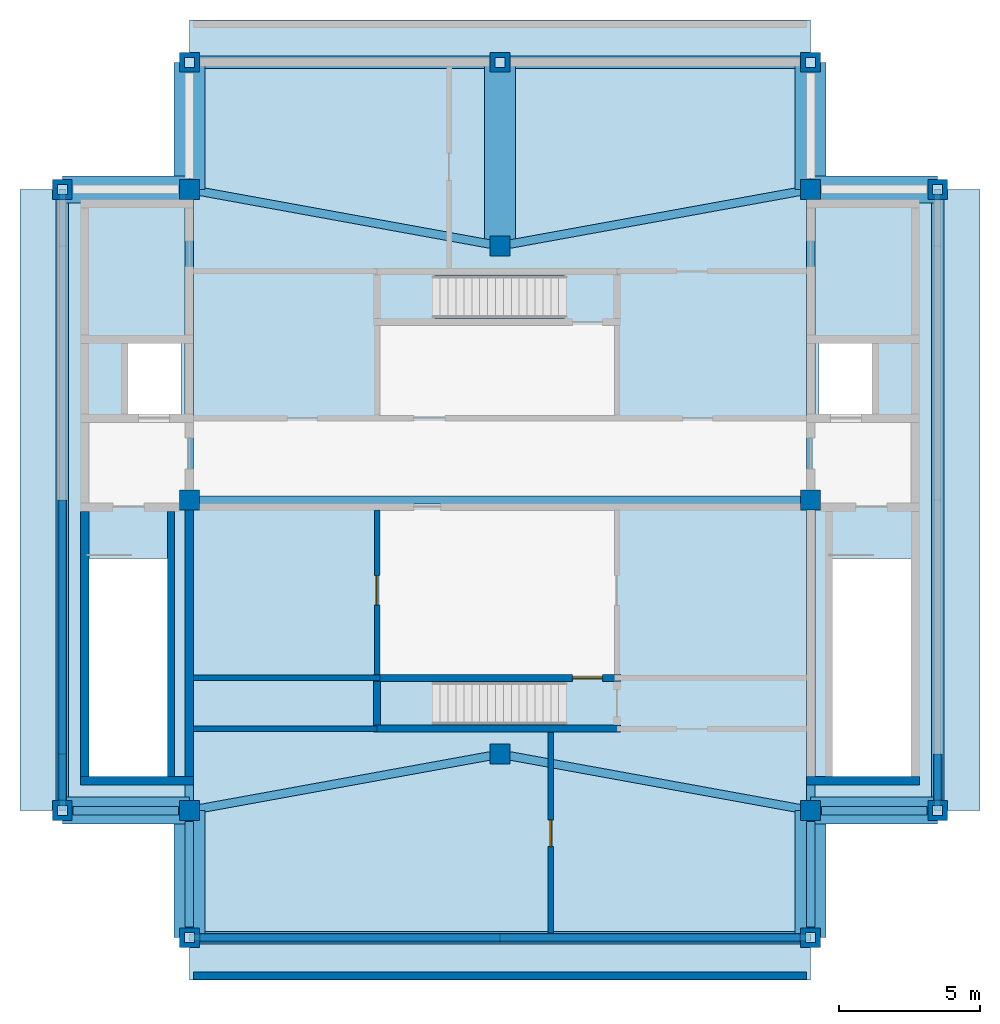
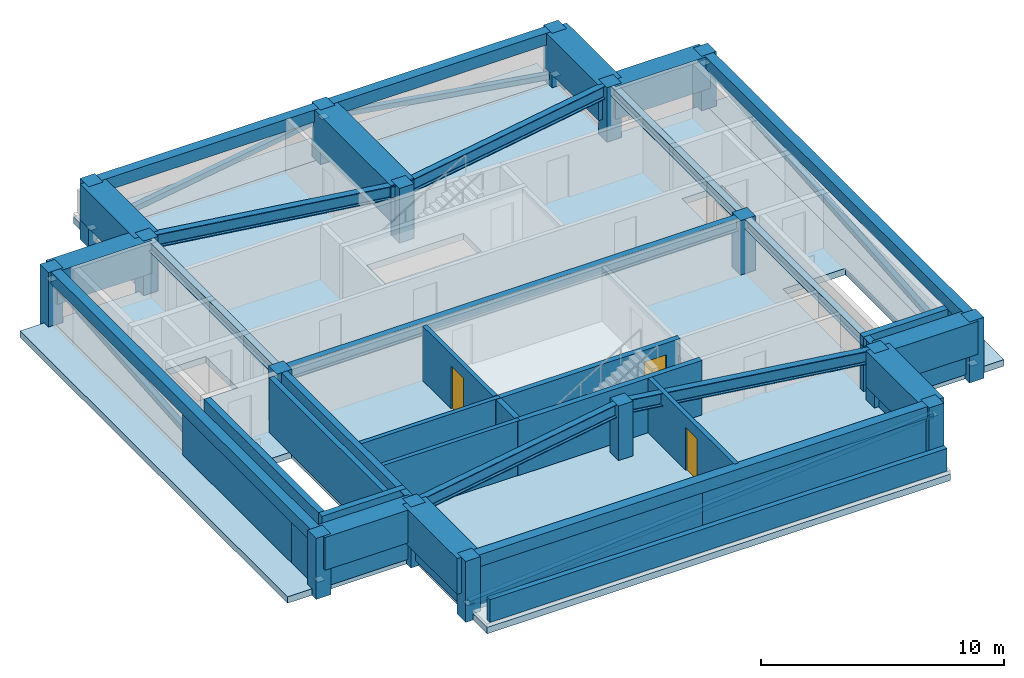
# One storey, part 1 of 4: 22 walls, 20 beams, 17 columns, 9 plates, 5 members, 5 slabs, 3 doors, 3 openings.
"""IFC4 building model written with IfcOpenShell, lengths in metres."""

from ifc_helpers import new_model, si_unit, direction, frame, frame_2d, origin, origin_2d, place, context, subcontext, project, spatial, polyline, rectangle, hollow_rectangle, i_section, outline, extrude, material, layer, layer_set, material_profile, profile_set, type_object, element, fill, save


model = new_model("IFC4")

# Units and contexts
model_context = context("Model", 3, precision=1e-05, world=origin(), true_north=direction((0.0, 1.0)))
body_context = subcontext(model_context, "Body", "Model", "MODEL_VIEW")
ifc_project = project(units=[si_unit("LENGTHUNIT", "METRE"), si_unit("AREAUNIT", "SQUARE_METRE"), si_unit("VOLUMEUNIT", "CUBIC_METRE"), si_unit("PLANEANGLEUNIT", "RADIAN"), si_unit("MASSUNIT", "GRAM", prefix="KILO")], contexts=[model_context])

# Site, building, storey
site_placement = place(None, origin())
site = spatial("IfcSite", under=ifc_project, at=site_placement, CompositionType="ELEMENT")
building_placement = place(site_placement, origin())
building = spatial("IfcBuilding", under=site, at=building_placement, Name="Zulmaris Gate Convention Tower", CompositionType="ELEMENT")
storey_placement = place(building_placement, frame((0.0, 0.0, 290.97998046875)))
storey = spatial("IfcBuildingStorey", under=building, at=storey_placement, Name="L78", CompositionType="ELEMENT", Elevation=290.97998046875)

# Columns
ifc_material_1 = material(Name="Concrete C50/60", Category="concrete")
ifc_material_profile_1 = material_profile(ifc_material_1, rectangle(XDim=0.699951171875, YDim=0.699951171875, at=origin_2d()), Name="RC COL 700x700")
ifc_profile_set_1 = profile_set([ifc_material_profile_1], Name="Concrete C50/60")
column_type = type_object("IfcColumnType", Name="COL-RC700", PredefinedType="COLUMN", material=ifc_profile_set_1)
for number, where, z_axis, x_axis, name in (
    (1, (-11.0, -15.5, -0.324951171875), (0.0, 0.0, 1.0), (1.0, 0.0, 0.0), "L78 Column CR--11.00_-15.50"),
    (2, (11.0, -15.5, -0.324951171875), (0.0, 0.0, 1.0), (1.0, 0.0, 0.0), "L78 Column CR-+11.00_-15.50"),
    (3, (15.5, -11.0, -0.324951171875), (0.0, 0.0, 1.0), (1.0, 0.0, 0.0), "L78 Column CR-+15.50_-11.00"),
    (4, (15.5, 11.0, -0.324951171875), (0.0, 0.0, 1.0), (1.0, 0.0, 0.0), "L78 Column CR-+15.50_+11.00"),
    (5, (11.0, 15.5, -0.324951171875), (0.0, 0.0, 1.0), (1.0, 0.0, 0.0), "L78 Column CR-+11.00_+15.50"),
    (6, (0.0, 15.5, -0.324951171875), (0.0, 0.0, 1.0), (1.0, 0.0, 0.0), "L78 Column CR-+0.00_+15.50"),
    (7, (-11.0, 15.5, -0.324951171875), (0.0, 0.0, 1.0), (1.0, 0.0, 0.0), "L78 Column CR--11.00_+15.50"),
    (8, (-15.5, 11.0, -0.324951171875), (0.0, 0.0, 1.0), (1.0, 0.0, 0.0), "L78 Column CR--15.50_+11.00"),
    (9, (-15.5, -11.0, -0.324951171875), (0.0, 0.0, 1.0), (1.0, 0.0, 0.0), "L78 Column CR--15.50_-11.00"),
    (10, (-11.0, -11.0, -0.324951171875), (0.0, 0.0, 1.0), (1.0, 0.0, 0.0), "L78 Column CR--11.00_-11.00"),
    (11, (11.0, -11.0, -0.324951171875), (0.0, 0.0, 1.0), (1.0, 0.0, 0.0), "L78 Column CR-+11.00_-11.00"),
    (12, (-11.0, 11.0, -0.324951171875), (0.0, 0.0, 1.0), (1.0, 0.0, 0.0), "L78 Column CR--11.00_+11.00"),
    (13, (11.0, 11.0, -0.324951171875), (0.0, 0.0, 1.0), (1.0, 0.0, 0.0), "L78 Column CR-+11.00_+11.00"),
    (14, (-11.0, 0.0, -0.324951171875), (0.0, 0.0, 1.0), (1.0, 0.0, 0.0), "L78 Column CR--11.00_+0.00"),
    (15, (11.0, 0.0, -0.324951171875), (0.0, 0.0, 1.0), (1.0, 0.0, 0.0), "L78 Column CR-+11.00_+0.00"),
    (16, (0.0, -9.0, -0.324951171875), (0.0, 0.0, 1.0), (1.0, 0.0, 0.0), "L78 Column CR-+0.00_-9.00"),
    (17, (0.0, 9.0, -0.324951171875), (0.0, 0.0, 1.0), (1.0, 0.0, 0.0), "L78 Column CR-+0.00_+9.00"),
):
    element("IfcColumn", number, at=place(storey_placement, frame(where, z_axis=z_axis, x_axis=x_axis)), inside=storey, type_object=column_type, Name=name, PredefinedType="COLUMN", context=body_context, shape_type="SweptSolid", body=[
        extrude(rectangle(XDim=0.699951171875, YDim=0.699951171875, at=origin_2d()), origin(), (0.0, 0.0, 1.0), 3.06005859375),
    ])

# Beams
ifc_material_2 = material(Name="Steel S355", Category="steel")
ifc_material_profile_2 = material_profile(ifc_material_2, i_section(OverallWidth=0.300048828125, OverallDepth=0.5, WebThickness=0.014404296875, FlangeThickness=0.028076171875, FilletRadius=0.027099609375, at=origin_2d()), Name="HEB 500")
ifc_profile_set_2 = profile_set([ifc_material_profile_2], Name="Steel S355")
beam_type_1 = type_object("IfcBeamType", Name="BM-HEB500", PredefinedType="BEAM", material=ifc_profile_set_2)
for number, where, z_axis, x_axis, name in (
    (18, (-11.0, -11.0, 2.48291015625), (0.0, 1.0, 0.0), (-1.0, 0.0, 0.0), "L78 Beam BM-L78-CY--11.0-M"),
    (19, (11.0, -11.0, 2.48291015625), (0.0, 1.0, 0.0), (-1.0, 0.0, 0.0), "L78 Beam BM-L78-CY-+11.0-M"),
):
    element("IfcBeam", number, at=place(storey_placement, frame(where, z_axis=z_axis, x_axis=x_axis)), inside=storey, type_object=beam_type_1, Name=name, PredefinedType="BEAM", context=body_context, shape_type="SweptSolid", body=[
        extrude(i_section(OverallWidth=0.300048828125, OverallDepth=0.5, WebThickness=0.014404296875, FlangeThickness=0.028076171875, FilletRadius=0.027099609375, at=origin_2d()), origin(), (0.0, 0.0, 1.0), 22.0),
    ])
ifc_material_profile_3 = material_profile(ifc_material_2, i_section(OverallWidth=0.300048828125, OverallDepth=0.64990234375, WebThickness=0.01611328125, FlangeThickness=0.031005859375, FilletRadius=0.027099609375, at=origin_2d()), Name="HEB 650")
ifc_profile_set_3 = profile_set([ifc_material_profile_3], Name="Steel S355")
beam_type_2 = type_object("IfcBeamType", Name="BM-HEB650", PredefinedType="BEAM", material=ifc_profile_set_3)
for number, where, z_axis, x_axis, name in (
    (20, (-11.0, -11.0, 2.407958984375), (0.9838699101, 0.1788854382, 0.0), (-0.1788854382, 0.9838699101, 0.0), "L78 Beam BM-L78-CX--9.9-M1"),
    (21, (0.0, -9.0, 2.407958984375), (0.9838699101, -0.1788854382, 0.0), (0.1788854382, 0.9838699101, 0.0), "L78 Beam BM-L78-CX--9.9-M2"),
    (22, (-11.0, 11.0, 2.407958984375), (0.9838699101, -0.1788854382, 0.0), (0.1788854382, 0.9838699101, 0.0), "L78 Beam BM-L78-CX-+10.5-M1"),
    (23, (0.0, 9.0, 2.407958984375), (0.9838699101, 0.1788854382, 0.0), (-0.1788854382, 0.9838699101, 0.0), "L78 Beam BM-L78-CX-+10.5-M2"),
):
    element("IfcBeam", number, at=place(storey_placement, frame(where, z_axis=z_axis, x_axis=x_axis)), inside=storey, type_object=beam_type_2, Name=name, PredefinedType="BEAM", context=body_context, shape_type="SweptSolid", body=[
        extrude(i_section(OverallWidth=0.300048828125, OverallDepth=0.64990234375, WebThickness=0.01611328125, FlangeThickness=0.031005859375, FilletRadius=0.027099609375, at=origin_2d()), origin(), (0.0, 0.0, 1.0), 11.180419921875),
    ])
beam_1_placement = place(storey_placement, frame((-11.0, 0.0, 2.407958984375), z_axis=(1.0, 0.0, 0.0), x_axis=(0.0, 1.0, 0.0)))
element("IfcBeam", 24, at=beam_1_placement, inside=storey, type_object=beam_type_2, Name="L78 Beam BM-L78-CX-MID", PredefinedType="BEAM", context=body_context, shape_type="SweptSolid", body=[
    extrude(i_section(OverallWidth=0.300048828125, OverallDepth=0.64990234375, WebThickness=0.01611328125, FlangeThickness=0.031005859375, FilletRadius=0.027099609375, at=origin_2d()), origin(), (0.0, 0.0, 1.0), 22.0),
])
ifc_material_3 = material(Name="Precast concrete C50/60", Category="concrete")
ifc_material_profile_4 = material_profile(ifc_material_3, rectangle(XDim=0.449951171875, YDim=0.60009765625, at=origin_2d()), Name="RC SPANDREL 450x600")
ifc_profile_set_4 = profile_set([ifc_material_profile_4], Name="Precast concrete C50/60")
beam_type_3 = type_object("IfcBeamType", Name="BM-SP450x600", PredefinedType="SPANDREL", material=ifc_profile_set_4)
for number, where, z_axis, x_axis, name in (
    (25, (-11.0, -15.5, 2.43505859375), (1.0, 0.0, 0.0), (0.0, 1.0, 0.0), "L78 Spandrel SP-L78-01"),
    (26, (15.5, -11.0, 2.43505859375), (0.0, 1.0, 0.0), (-1.0, 0.0, 0.0), "L78 Spandrel SP-L78-04"),
    (27, (11.0, 15.5, 2.43505859375), (-1.0, 0.0, 0.0), (0.0, -1.0, 0.0), "L78 Spandrel SP-L78-07"),
    (28, (-15.5, 11.0, 2.43505859375), (0.0, -1.0, 0.0), (1.0, 0.0, 0.0), "L78 Spandrel SP-L78-10"),
):
    element("IfcBeam", number, at=place(storey_placement, frame(where, z_axis=z_axis, x_axis=x_axis)), inside=storey, type_object=beam_type_3, Name=name, PredefinedType="SPANDREL", context=body_context, shape_type="SweptSolid", body=[
        extrude(rectangle(XDim=0.449951171875, YDim=0.60009765625, at=origin_2d()), origin(), (0.0, 0.0, 1.0), 22.0),
    ])
ifc_material_4 = material(Name="Concrete C80/95", Category="concrete")
ifc_material_profile_5 = material_profile(ifc_material_4, rectangle(XDim=0.949951171875, YDim=1.64990234375, at=origin_2d()), Name="RC TRANSFER 950x1650")
ifc_profile_set_5 = profile_set([ifc_material_profile_5], Name="Concrete C80/95")
beam_type_4 = type_object("IfcBeamType", Name="BM-XFER1650", PredefinedType="BEAM", material=ifc_profile_set_5)
for number, where, z_axis, x_axis, name in (
    (29, (-15.5, -11.0, 1.909912109375), (1.0, 0.0, 0.0), (0.0, 1.0, 0.0), "L78 Beam XFSPX-L78--11.0-W"),
    (30, (11.0, -11.0, 1.909912109375), (1.0, 0.0, 0.0), (0.0, 1.0, 0.0), "L78 Beam XFSPX-L78--11.0-E"),
    (31, (-15.5, 11.0, 1.909912109375), (1.0, 0.0, 0.0), (0.0, 1.0, 0.0), "L78 Beam XFSPX-L78-+11.0-W"),
    (32, (11.0, 11.0, 1.909912109375), (1.0, 0.0, 0.0), (0.0, 1.0, 0.0), "L78 Beam XFSPX-L78-+11.0-E"),
):
    element("IfcBeam", number, at=place(storey_placement, frame(where, z_axis=z_axis, x_axis=x_axis)), inside=storey, type_object=beam_type_4, Name=name, PredefinedType="BEAM", context=body_context, shape_type="SweptSolid", body=[
        extrude(rectangle(XDim=0.949951171875, YDim=1.64990234375, at=origin_2d()), origin(), (0.0, 0.0, 1.0), 4.5),
    ])
ifc_material_profile_6 = material_profile(ifc_material_4, rectangle(XDim=1.10009765625, YDim=1.800048828125, at=origin_2d()), Name="RC TRANSFER 1100x1800")
ifc_profile_set_6 = profile_set([ifc_material_profile_6], Name="Concrete C80/95")
beam_type_5 = type_object("IfcBeamType", Name="BM-XFER1800", PredefinedType="BEAM", material=ifc_profile_set_6)
for number, where, z_axis, x_axis, name in (
    (33, (-11.0, -15.5, 1.8349609375), (0.0, 1.0, 0.0), (-1.0, 0.0, 0.0), "L78 Beam XFSPY-L78--11.0--15.5"),
    (34, (-11.0, 11.0, 1.8349609375), (0.0, 1.0, 0.0), (-1.0, 0.0, 0.0), "L78 Beam XFSPY-L78--11.0-+11.0"),
):
    element("IfcBeam", number, at=place(storey_placement, frame(where, z_axis=z_axis, x_axis=x_axis)), inside=storey, type_object=beam_type_5, Name=name, PredefinedType="BEAM", context=body_context, shape_type="SweptSolid", body=[
        extrude(rectangle(XDim=1.10009765625, YDim=1.800048828125, at=origin_2d()), origin(), (0.0, 0.0, 1.0), 4.5),
    ])
beam_2_placement = place(storey_placement, frame((0.0, 9.0, 1.8349609375), z_axis=(0.0, 1.0, 0.0), x_axis=(-1.0, 0.0, 0.0)))
element("IfcBeam", 35, at=beam_2_placement, inside=storey, type_object=beam_type_5, Name="L78 Beam XFSPY-L78-+0.0-+9.0", PredefinedType="BEAM", context=body_context, shape_type="SweptSolid", body=[
    extrude(rectangle(XDim=1.10009765625, YDim=1.800048828125, at=origin_2d()), origin(), (0.0, 0.0, 1.0), 6.5),
])
for number, where, z_axis, x_axis, name in (
    (36, (11.0, -15.5, 1.8349609375), (0.0, 1.0, 0.0), (-1.0, 0.0, 0.0), "L78 Beam XFSPY-L78-+11.0--15.5"),
    (37, (11.0, 11.0, 1.8349609375), (0.0, 1.0, 0.0), (-1.0, 0.0, 0.0), "L78 Beam XFSPY-L78-+11.0-+11.0"),
):
    element("IfcBeam", number, at=place(storey_placement, frame(where, z_axis=z_axis, x_axis=x_axis)), inside=storey, type_object=beam_type_5, Name=name, PredefinedType="BEAM", context=body_context, shape_type="SweptSolid", body=[
        extrude(rectangle(XDim=1.10009765625, YDim=1.800048828125, at=origin_2d()), origin(), (0.0, 0.0, 1.0), 4.5),
    ])

# Members
ifc_material_profile_7 = material_profile(ifc_material_2, hollow_rectangle(XDim=0.25, YDim=0.25, WallThickness=0.012451171875, at=origin_2d()), Name="SHS 250x250x12.5")
ifc_profile_set_7 = profile_set([ifc_material_profile_7], Name="Steel S355")
member_type = type_object("IfcMemberType", Name="BR-SHS250", PredefinedType="BRACE", material=ifc_profile_set_7)
member_placement = place(storey_placement, frame((-11.0, -15.5, 0.35009765625), z_axis=(0.996905179889, 0.0, 0.07861337234), x_axis=(0.0, 1.0, 0.0)))
element("IfcMember", 38, at=member_placement, inside=storey, type_object=member_type, Name="L78 Crown Perimeter Brace 01", PredefinedType="BRACE", context=body_context, shape_type="SweptSolid", body=[
    extrude(hollow_rectangle(XDim=0.25, YDim=0.25, WallThickness=0.012451171875, at=origin_2d()), origin(), (0.0, 0.0, 1.0), 22.068359375),
])
for number, where, z_axis, x_axis, name in (
    (39, (-11.0, 15.5, 0.35009765625), (0.987790325004, 0.0, 0.155789196766), (0.0, 1.0, 0.0), "L78 Crown Perimeter Brace 02"),
    (40, (0.0, 15.5, 2.0849609375), (0.987790325004, 0.0, -0.155789196766), (0.0, 1.0, 0.0), "L78 Crown Perimeter Brace 03"),
):
    element("IfcMember", number, at=place(storey_placement, frame(where, z_axis=z_axis, x_axis=x_axis)), inside=storey, type_object=member_type, Name=name, PredefinedType="BRACE", context=body_context, shape_type="SweptSolid", body=[
        extrude(hollow_rectangle(XDim=0.25, YDim=0.25, WallThickness=0.012451171875, at=origin_2d()), origin(), (0.0, 0.0, 1.0), 11.135986328125),
    ])
for number, where, z_axis, x_axis, name in (
    (41, (-15.5, -11.0, 0.35009765625), (0.0, 0.996905179889, 0.07861337234), (-1.0, 0.0, 0.0), "L78 Crown Perimeter Brace 04"),
    (42, (15.5, -11.0, 0.35009765625), (0.0, 0.996905179889, 0.07861337234), (-1.0, 0.0, 0.0), "L78 Crown Perimeter Brace 05"),
):
    element("IfcMember", number, at=place(storey_placement, frame(where, z_axis=z_axis, x_axis=x_axis)), inside=storey, type_object=member_type, Name=name, PredefinedType="BRACE", context=body_context, shape_type="SweptSolid", body=[
        extrude(hollow_rectangle(XDim=0.25, YDim=0.25, WallThickness=0.012451171875, at=origin_2d()), origin(), (0.0, 0.0, 1.0), 22.068359375),
    ])

# Plates
ifc_material_5 = material(Name="Steel S460", Category="steel")
ifc_layer_1 = layer(ifc_material_5, 0.02197265625, Name="Steel S460")
ifc_layer_set_1 = layer_set([ifc_layer_1], Name="Steel S460")
plate_type = type_object("IfcPlateType", Name="NP-CAP-360", PredefinedType="USERDEFINED", material=ifc_layer_set_1)
for number, where, z_axis, x_axis, name in (
    (43, (-11.0, -15.5, 0.339111328125), (0.0, 0.0, 1.0), (1.0, 0.0, 0.0), "L78 Steel Node Plate CBR-L78-01-P0"),
    (44, (11.0, -15.5, 2.073974609375), (0.0, 0.0, 1.0), (1.0, 0.0, 0.0), "L78 Steel Node Plate CBR-L78-01-P1"),
    (45, (-11.0, 15.5, 0.339111328125), (0.0, 0.0, 1.0), (1.0, 0.0, 0.0), "L78 Steel Node Plate CBR-L78-02-P0"),
    (46, (0.0, 15.5, 2.073974609375), (0.0, 0.0, 1.0), (1.0, 0.0, 0.0), "L78 Steel Node Plate CBR-L78-02-P1"),
    (47, (11.0, 15.5, 0.339111328125), (0.0, 0.0, 1.0), (1.0, 0.0, 0.0), "L78 Steel Node Plate CBR-L78-03-P1"),
    (48, (-15.5, -11.0, 0.339111328125), (0.0, 0.0, 1.0), (1.0, 0.0, 0.0), "L78 Steel Node Plate CBR-L78-04-P0"),
    (49, (-15.5, 11.0, 2.073974609375), (0.0, 0.0, 1.0), (1.0, 0.0, 0.0), "L78 Steel Node Plate CBR-L78-04-P1"),
    (50, (15.5, -11.0, 0.339111328125), (0.0, 0.0, 1.0), (1.0, 0.0, 0.0), "L78 Steel Node Plate CBR-L78-05-P0"),
    (51, (15.5, 11.0, 2.073974609375), (0.0, 0.0, 1.0), (1.0, 0.0, 0.0), "L78 Steel Node Plate CBR-L78-05-P1"),
):
    element("IfcPlate", number, at=place(storey_placement, frame(where, z_axis=z_axis, x_axis=x_axis)), inside=storey, type_object=plate_type, Name=name, ObjectType="FLANGE PLATE", PredefinedType="USERDEFINED", context=body_context, shape_type="SweptSolid", body=[
        extrude(rectangle(XDim=0.360107421875, YDim=0.360107421875, at=origin_2d()), origin(), (0.0, 0.0, 1.0), 0.02197265625),
    ])

# Slabs
ifc_layer_2 = layer(ifc_material_1, 0.324951171875, Name="Concrete C50/60")
ifc_layer_set_2 = layer_set([ifc_layer_2], Name="Concrete C50/60")
slab_type_1 = type_object("IfcSlabType", Name="SL-FLR-325", PredefinedType="FLOOR", material=ifc_layer_set_2)
slab_1_placement = place(storey_placement, frame((0.0, 0.0, -0.324951171875)))
element("IfcSlab", 52, at=slab_1_placement, inside=storey, type_object=slab_type_1, Name="L78 Crown Plant Floor Slab", PredefinedType="FLOOR", context=body_context, shape_type="SweptSolid", body=[
    extrude(outline(polyline([(-11.0, -15.5), (11.0, -15.5), (11.0, -11.0), (15.5, -11.0), (15.5, 11.0), (11.0, 11.0), (11.0, 15.5), (-11.0, 15.5), (-11.0, 11.0), (-15.5, 11.0), (-15.5, -11.0), (-11.0, -11.0), (-11.0, -15.5)]), holes=[polyline([(-14.6201171875, -2.080078125), (-14.6201171875, -9.85009765625), (-11.659912109375, -9.85009765625), (-11.659912109375, -2.080078125), (-14.6201171875, -2.080078125)]), polyline([(11.659912109375, -2.080078125), (11.659912109375, -9.85009765625), (14.6201171875, -9.85009765625), (14.6201171875, -2.080078125), (11.659912109375, -2.080078125)]), polyline([(-2.320068359375, -7.949951171875), (2.280029296875, -7.949951171875), (2.280029296875, -6.449951171875), (-2.320068359375, -6.449951171875), (-2.320068359375, -7.949951171875)]), polyline([(-2.320068359375, 6.449951171875), (2.280029296875, 6.449951171875), (2.280029296875, 7.949951171875), (-2.320068359375, 7.949951171875), (-2.320068359375, 6.449951171875)]), polyline([(-13.199951171875, 3.0), (-11.300048828125, 3.0), (-11.300048828125, 5.60009765625), (-13.199951171875, 5.60009765625), (-13.199951171875, 3.0)]), polyline([(11.300048828125, 3.0), (13.199951171875, 3.0), (13.199951171875, 5.60009765625), (11.300048828125, 5.60009765625), (11.300048828125, 3.0)])]), origin(), (0.0, 0.0, 1.0), 0.324951171875),
])
ifc_layer_3 = layer(ifc_material_1, 0.324951171875, Name="Concrete C50/60")
ifc_layer_set_3 = layer_set([ifc_layer_3], Name="Concrete C50/60")
slab_type_2 = type_object("IfcSlabType", Name="SL-ROOF-325", PredefinedType="ROOF", material=ifc_layer_set_3)
slab_2_placement = place(storey_placement, frame((0.0, 0.0, -0.324951171875)))
element("IfcSlab", 53, at=slab_2_placement, inside=storey, type_object=slab_type_2, Name="L78 Stepped Crown Setback Roof Cap N", PredefinedType="ROOF", context=body_context, shape_type="SweptSolid", body=[
    extrude(outline(polyline([(-11.0, 15.5), (11.0, 15.5), (11.0, 17.0), (-11.0, 17.0), (-11.0, 15.5)])), origin(), (0.0, 0.0, 1.0), 0.324951171875),
])
slab_3_placement = place(storey_placement, frame((0.0, 0.0, -0.324951171875)))
element("IfcSlab", 54, at=slab_3_placement, inside=storey, type_object=slab_type_2, Name="L78 Stepped Crown Setback Roof Cap S", PredefinedType="ROOF", context=body_context, shape_type="SweptSolid", body=[
    extrude(outline(polyline([(-11.0, -17.0), (11.0, -17.0), (11.0, -15.5), (-11.0, -15.5), (-11.0, -17.0)])), origin(), (0.0, 0.0, 1.0), 0.324951171875),
])
slab_4_placement = place(storey_placement, frame((0.0, 0.0, -0.324951171875)))
element("IfcSlab", 55, at=slab_4_placement, inside=storey, type_object=slab_type_2, Name="L78 Stepped Crown Setback Roof Cap W", PredefinedType="ROOF", context=body_context, shape_type="SweptSolid", body=[
    extrude(outline(polyline([(-17.0, -11.0), (-15.5, -11.0), (-15.5, 11.0), (-17.0, 11.0), (-17.0, -11.0)])), origin(), (0.0, 0.0, 1.0), 0.324951171875),
])
slab_5_placement = place(storey_placement, frame((0.0, 0.0, -0.324951171875)))
element("IfcSlab", 56, at=slab_5_placement, inside=storey, type_object=slab_type_2, Name="L78 Stepped Crown Setback Roof Cap E", PredefinedType="ROOF", context=body_context, shape_type="SweptSolid", body=[
    extrude(outline(polyline([(15.5, -11.0), (17.0, -11.0), (17.0, 11.0), (15.5, 11.0), (15.5, -11.0)])), origin(), (0.0, 0.0, 1.0), 0.324951171875),
])

# Wall
ifc_layer_4 = layer(ifc_material_1, 0.25, Name="Concrete C50/60")
ifc_layer_set_4 = layer_set([ifc_layer_4], Name="Concrete C50/60")
wall_type_1 = type_object("IfcWallType", Name="CORE-250", PredefinedType="SOLIDWALL", material=ifc_layer_set_4)
wall_1_placement = place(storey_placement, frame((-4.47509765625, -8.10009765625, 0.0), z_axis=(0.0, 0.0, 1.0), x_axis=(1.0, 0.0, 0.0)))
element("IfcWall", 57, at=wall_1_placement, inside=storey, type_object=wall_type_1, Name="WL-L78-003", PredefinedType="SOLIDWALL", context=body_context, shape_type="SweptSolid", body=[
    extrude(rectangle(XDim=8.75, YDim=0.25, at=frame_2d((4.375, 0.0))), origin(), (0.0, 0.0, 1.0), 2.735107421875),
])

# Wall, opening, door
wall_2_placement = place(storey_placement, frame((-4.47509765625, -6.300048828125, 0.0), z_axis=(0.0, 0.0, 1.0), x_axis=(1.0, 0.0, 0.0)))
wall_2 = element("IfcWall", 58, at=wall_2_placement, inside=storey, type_object=wall_type_1, Name="WL-L78-004", PredefinedType="SOLIDWALL", context=body_context, shape_type="SweptSolid", body=[
    extrude(rectangle(XDim=8.75, YDim=0.25, at=frame_2d((4.375, 0.0))), origin(), (0.0, 0.0, 1.0), 2.735107421875),
])
opening_1_placement = place(wall_2_placement, frame((7.050048828125, 0.0, 0.0)))
opening_1 = element("IfcOpeningElement", 59, at=opening_1_placement, cuts=wall_2, Name="Opening D-09", PredefinedType="OPENING", context=body_context, shape_type="SweptSolid", body=[
    extrude(rectangle(XDim=1.050048828125, YDim=2.14990234375, at=frame_2d((0.52490234375, 1.074951171875))), frame((0.0, 0.135009765625, 0.0), z_axis=(0.0, -1.0, 0.0), x_axis=(1.0, 0.0, 0.0)), (0.0, 0.0, 1.0), 0.27001953125),
])
ifc_material_6 = material(Name="Fire-Rated Steel", Category="steel")
door_type_1 = type_object("IfcDoorType", Name="DR-1050-FD", OperationType="NOTDEFINED", PredefinedType="DOOR", material=ifc_material_6)
door_1_placement = place(opening_1_placement, origin())
door_1 = element("IfcDoor", 60, at=door_1_placement, inside=storey, type_object=door_type_1, Name="L78 Crown Stair ST-7 Door 09", OperationType="SINGLE_SWING_RIGHT", OverallHeight=2.14990234375, OverallWidth=1.050048828125, PredefinedType="DOOR", context=body_context, shape_type="SweptSolid", body=[
    extrude(rectangle(XDim=1.050048828125, YDim=2.14990234375, at=frame_2d((0.52490234375, 1.074951171875))), frame((0.0, 0.02490234375, 0.0), z_axis=(0.0, -1.0, 0.0), x_axis=(1.0, 0.0, 0.0)), (0.0, 0.0, 1.0), 0.050048828125),
])
fill(opening_1, door_1)

# Walls
wall_3_placement = place(storey_placement, frame((-11.64990234375, -9.798095703125, 0.0), z_axis=(0.0, 0.0, 1.0), x_axis=(0.0, 1.0, 0.0)))
element("IfcWall", 61, at=wall_3_placement, inside=storey, type_object=wall_type_1, Name="WL-L78-028", PredefinedType="SOLIDWALL", context=body_context, shape_type="SweptSolid", body=[
    extrude(rectangle(XDim=9.39599609375, YDim=0.25, at=frame_2d((4.697998046875, 0.0))), origin(), (0.0, 0.0, 1.0), 2.735107421875),
])
wall_4_placement = place(storey_placement, frame((-4.35009765625, -7.972900390625, 0.0), z_axis=(0.0, 0.0, 1.0), x_axis=(0.0, 1.0, 0.0)))
element("IfcWall", 62, at=wall_4_placement, inside=storey, type_object=wall_type_1, Name="WL-L78-033", PredefinedType="SOLIDWALL", context=body_context, shape_type="SweptSolid", body=[
    extrude(rectangle(XDim=1.5458984375, YDim=0.25, at=frame_2d((0.77294921875, 0.0))), origin(), (0.0, 0.0, 1.0), 2.735107421875),
])
ifc_layer_5 = layer(ifc_material_1, 0.300048828125, Name="Concrete C50/60")
ifc_layer_set_5 = layer_set([ifc_layer_5], Name="Concrete C50/60")
wall_type_2 = type_object("IfcWallType", Name="CORE-300", PredefinedType="SHEAR", material=ifc_layer_set_5)
for number, where, z_axis, x_axis, name in (
    (63, (-14.85009765625, -9.949951171875, 0.0), (0.0, 0.0, 1.0), (1.0, 0.0, 0.0), "WL-L78-001"),
    (64, (10.85009765625, -9.949951171875, 0.0), (0.0, 0.0, 1.0), (1.0, 0.0, 0.0), "WL-L78-002"),
):
    element("IfcWall", number, at=place(storey_placement, frame(where, z_axis=z_axis, x_axis=x_axis)), inside=storey, type_object=wall_type_2, Name=name, PredefinedType="SHEAR", context=body_context, shape_type="SweptSolid", body=[
        extrude(rectangle(XDim=4.0, YDim=0.300048828125, at=frame_2d((2.0, 0.0))), origin(), (0.0, 0.0, 1.0), 2.735107421875),
    ])
wall_5_placement = place(storey_placement, frame((-14.699951171875, -9.798095703125, 0.0), z_axis=(0.0, 0.0, 1.0), x_axis=(0.0, 1.0, 0.0)))
element("IfcWall", 65, at=wall_5_placement, inside=storey, type_object=wall_type_2, Name="WL-L78-023", PredefinedType="SHEAR", context=body_context, shape_type="SweptSolid", body=[
    extrude(rectangle(XDim=9.39599609375, YDim=0.300048828125, at=frame_2d((4.697998046875, 0.0))), origin(), (0.0, 0.0, 1.0), 2.735107421875),
])
wall_6_placement = place(storey_placement, frame((-11.0, -9.798095703125, 0.0), z_axis=(0.0, 0.0, 1.0), x_axis=(0.0, 1.0, 0.0)))
element("IfcWall", 66, at=wall_6_placement, inside=storey, type_object=wall_type_2, Name="WL-L78-029", PredefinedType="SHEAR", context=body_context, shape_type="SweptSolid", body=[
    extrude(rectangle(XDim=9.444091796875, YDim=0.300048828125, at=frame_2d((4.72216796875, 0.0))), origin(), (0.0, 0.0, 1.0), 2.735107421875),
])
ifc_material_7 = material(Name="Autoclaved Aerated Concrete Block and Plasterboard", Category="concrete")
ifc_layer_6 = layer(ifc_material_7, 0.199951171875, Name="Autoclaved Aerated Concrete Block and Plasterboard")
ifc_layer_set_6 = layer_set([ifc_layer_6], Name="Autoclaved Aerated Concrete Block and Plasterboard")
wall_type_3 = type_object("IfcWallType", Name="PART-200", PredefinedType="PARTITIONING", material=ifc_layer_set_6)
wall_7_placement = place(storey_placement, frame((-10.846923828125, -8.10009765625, 0.0), z_axis=(0.0, 0.0, 1.0), x_axis=(1.0, 0.0, 0.0)))
element("IfcWall", 67, at=wall_7_placement, inside=storey, type_object=wall_type_3, Name="WL-L78-015", PredefinedType="PARTITIONING", context=body_context, shape_type="SweptSolid", body=[
    extrude(rectangle(XDim=6.496826171875, YDim=0.199951171875, at=frame_2d((3.24853515625, 0.0))), origin(), (0.0, 0.0, 1.0), 2.735107421875),
])
wall_8_placement = place(storey_placement, frame((-10.846923828125, -6.300048828125, 0.0), z_axis=(0.0, 0.0, 1.0), x_axis=(1.0, 0.0, 0.0)))
element("IfcWall", 68, at=wall_8_placement, inside=storey, type_object=wall_type_3, Name="WL-L78-017", PredefinedType="PARTITIONING", context=body_context, shape_type="SweptSolid", body=[
    extrude(rectangle(XDim=6.596923828125, YDim=0.199951171875, at=frame_2d((3.29833984375, 0.0))), origin(), (0.0, 0.0, 1.0), 2.735107421875),
])

# Wall, opening, door
wall_9_placement = place(storey_placement, frame((-4.35009765625, -6.172119140625, 0.0), z_axis=(0.0, 0.0, 1.0), x_axis=(0.0, 1.0, 0.0)))
wall_9 = element("IfcWall", 69, at=wall_9_placement, inside=storey, type_object=wall_type_3, Name="WL-L78-047", PredefinedType="PARTITIONING", context=body_context, shape_type="SweptSolid", body=[
    extrude(rectangle(XDim=5.819091796875, YDim=0.199951171875, at=frame_2d((2.90966796875, 0.0))), origin(), (0.0, 0.0, 1.0), 2.735107421875),
])
opening_2_placement = place(wall_9_placement, frame((2.447021484375, 0.0, 0.0)))
opening_2 = element("IfcOpeningElement", 70, at=opening_2_placement, cuts=wall_9, Name="Opening D-09", PredefinedType="OPENING", context=body_context, shape_type="SweptSolid", body=[
    extrude(rectangle(XDim=1.050048828125, YDim=2.14990234375, at=frame_2d((0.52490234375, 1.074951171875))), frame((0.0, 0.10986328125, 0.0), z_axis=(0.0, -1.0, 0.0), x_axis=(1.0, 0.0, 0.0)), (0.0, 0.0, 1.0), 0.219970703125),
])
door_2_placement = place(opening_2_placement, origin())
door_2 = element("IfcDoor", 71, at=door_2_placement, inside=storey, type_object=door_type_1, Name="L78 Chiller Plant Door 13", OperationType="SINGLE_SWING_RIGHT", OverallHeight=2.14990234375, OverallWidth=1.050048828125, PredefinedType="DOOR", context=body_context, shape_type="SweptSolid", body=[
    extrude(rectangle(XDim=1.050048828125, YDim=2.14990234375, at=frame_2d((0.52490234375, 1.074951171875))), frame((0.0, 0.02490234375, 0.0), z_axis=(0.0, -1.0, 0.0), x_axis=(1.0, 0.0, 0.0)), (0.0, 0.0, 1.0), 0.050048828125),
])
fill(opening_2, door_2)

wall_10_placement = place(storey_placement, frame((1.800048828125, -15.3349609375, 0.0), z_axis=(0.0, 0.0, 1.0), x_axis=(0.0, 1.0, 0.0)))
wall_10 = element("IfcWall", 72, at=wall_10_placement, inside=storey, type_object=wall_type_3, Name="WL-L78-050", PredefinedType="PARTITIONING", context=body_context, shape_type="SweptSolid", body=[
    extrude(rectangle(XDim=7.10693359375, YDim=0.199951171875, at=frame_2d((3.553466796875, 0.0))), origin(), (0.0, 0.0, 1.0), 2.735107421875),
])
opening_3_placement = place(wall_10_placement, frame((3.06005859375, 0.0, 0.0)))
opening_3 = element("IfcOpeningElement", 73, at=opening_3_placement, cuts=wall_10, Name="Opening D-11", PredefinedType="OPENING", context=body_context, shape_type="SweptSolid", body=[
    extrude(rectangle(XDim=0.949951171875, YDim=2.14990234375, at=frame_2d((0.47509765625, 1.074951171875))), frame((0.0, 0.10986328125, 0.0), z_axis=(0.0, -1.0, 0.0), x_axis=(1.0, 0.0, 0.0)), (0.0, 0.0, 1.0), 0.219970703125),
])
ifc_material_8 = material(Name="Fire-Rated Timber", Category="wood")
door_type_2 = type_object("IfcDoorType", Name="DR-950-FD", OperationType="NOTDEFINED", PredefinedType="DOOR", material=ifc_material_8)
door_3_placement = place(opening_3_placement, origin())
door_3 = element("IfcDoor", 74, at=door_3_placement, inside=storey, type_object=door_type_2, Name="L78 West Cooling Plant Door 18", OperationType="SINGLE_SWING_LEFT", OverallHeight=2.14990234375, OverallWidth=0.949951171875, PredefinedType="DOOR", context=body_context, shape_type="SweptSolid", body=[
    extrude(rectangle(XDim=0.949951171875, YDim=2.14990234375, at=frame_2d((0.47509765625, 1.074951171875))), frame((0.0, 0.02490234375, 0.0), z_axis=(0.0, -1.0, 0.0), x_axis=(1.0, 0.0, 0.0)), (0.0, 0.0, 1.0), 0.050048828125),
])
fill(opening_3, door_3)

# Walls
ifc_material_9 = material(Name="Precast concrete C40/50", Category="concrete")
ifc_layer_7 = layer(ifc_material_9, 0.300048828125, Name="Precast concrete C40/50")
ifc_layer_set_7 = layer_set([ifc_layer_7], Name="Precast concrete C40/50")
wall_type_4 = type_object("IfcWallType", Name="PRECAST-CROWN-300", PredefinedType="STANDARD", material=ifc_layer_set_7)
for number, where, z_axis, x_axis, name in (
    (75, (-10.6201171875, -15.5, 0.0), (0.0, 0.0, 1.0), (1.0, 0.0, 0.0), "EW-L78-CR-S0_0"),
    (76, (0.0, -15.5, 0.0), (0.0, 0.0, 1.0), (1.0, 0.0, 0.0), "EW-L78-CR-S1_0"),
):
    element("IfcWall", number, at=place(storey_placement, frame(where, z_axis=z_axis, x_axis=x_axis)), inside=storey, type_object=wall_type_4, Name=name, PredefinedType="STANDARD", context=body_context, shape_type="SweptSolid", body=[
        extrude(rectangle(XDim=10.6201171875, YDim=0.300048828125, at=frame_2d((5.31005859375, 0.0))), origin(), (0.0, 0.0, 1.0), 2.126953125),
    ])
for number, where, z_axis, x_axis, name in (
    (77, (15.5, -10.6201171875, 0.0), (0.0, 0.0, 1.0), (0.0, 1.0, 0.0), "EW-L78-CR-E0_0"),
    (78, (-15.5, -9.0, 0.0), (0.0, 0.0, 1.0), (0.0, -1.0, 0.0), "EW-L78-CR-W0_0"),
):
    element("IfcWall", number, at=place(storey_placement, frame(where, z_axis=z_axis, x_axis=x_axis)), inside=storey, type_object=wall_type_4, Name=name, PredefinedType="STANDARD", context=body_context, shape_type="SweptSolid", body=[
        extrude(rectangle(XDim=1.6201171875, YDim=0.300048828125, at=frame_2d((0.81005859375, 0.0))), origin(), (0.0, 0.0, 1.0), 2.126953125),
    ])
wall_11_placement = place(storey_placement, frame((-15.5, 0.0, 0.0), z_axis=(0.0, 0.0, 1.0), x_axis=(0.0, -1.0, 0.0)))
element("IfcWall", 79, at=wall_11_placement, inside=storey, type_object=wall_type_4, Name="EW-L78-CR-W1_0", PredefinedType="STANDARD", context=body_context, shape_type="SweptSolid", body=[
    extrude(rectangle(XDim=9.0, YDim=0.300048828125, at=frame_2d((4.5, 0.0))), origin(), (0.0, 0.0, 1.0), 2.126953125),
])
wall_12_placement = place(storey_placement, frame((11.0, -15.1201171875, 0.0), z_axis=(0.0, 0.0, 1.0), x_axis=(0.0, 1.0, 0.0)))
element("IfcWall", 80, at=wall_12_placement, inside=storey, type_object=wall_type_4, Name="EW-L78-CR-SE1_0", PredefinedType="STANDARD", context=body_context, shape_type="SweptSolid", body=[
    extrude(rectangle(XDim=3.740234375, YDim=0.300048828125, at=frame_2d((1.8701171875, 0.0))), origin(), (0.0, 0.0, 1.0), 0.927001953125),
])
for number, where, z_axis, x_axis, name in (
    (81, (11.3798828125, -11.0, 0.0), (0.0, 0.0, 1.0), (1.0, 0.0, 0.0), "EW-L78-CR-SE2_0"),
    (82, (-15.1201171875, -11.0, 0.0), (0.0, 0.0, 1.0), (1.0, 0.0, 0.0), "EW-L78-CR-SW1_0"),
):
    element("IfcWall", number, at=place(storey_placement, frame(where, z_axis=z_axis, x_axis=x_axis)), inside=storey, type_object=wall_type_4, Name=name, PredefinedType="STANDARD", context=body_context, shape_type="SweptSolid", body=[
        extrude(rectangle(XDim=3.740234375, YDim=0.300048828125, at=frame_2d((1.8701171875, 0.0))), origin(), (0.0, 0.0, 1.0), 1.076904296875),
    ])
wall_13_placement = place(storey_placement, frame((-11.0, -11.3798828125, 0.0), z_axis=(0.0, 0.0, 1.0), x_axis=(0.0, -1.0, 0.0)))
element("IfcWall", 83, at=wall_13_placement, inside=storey, type_object=wall_type_4, Name="EW-L78-CR-SW2_0", PredefinedType="STANDARD", context=body_context, shape_type="SweptSolid", body=[
    extrude(rectangle(XDim=3.740234375, YDim=0.300048828125, at=frame_2d((1.8701171875, 0.0))), origin(), (0.0, 0.0, 1.0), 0.927001953125),
])
ifc_layer_8 = layer(ifc_material_9, 0.25, Name="Precast concrete C40/50")
ifc_layer_set_8 = layer_set([ifc_layer_8], Name="Precast concrete C40/50")
wall_type_5 = type_object("IfcWallType", Name="PRECAST-PARAPET-250", PredefinedType="PARAPET", material=ifc_layer_set_8)
wall_14_placement = place(storey_placement, frame((-10.85009765625, -16.85009765625, 0.179931640625), z_axis=(0.0, 0.0, 1.0), x_axis=(1.0, 0.0, 0.0)))
element("IfcWall", 84, at=wall_14_placement, inside=storey, type_object=wall_type_5, Name="PRP-L78-CROWN-S", PredefinedType="PARAPET", context=body_context, shape_type="SweptSolid", body=[
    extrude(rectangle(XDim=21.7001953125, YDim=0.25, at=frame_2d((10.85009765625, 0.0))), origin(), (0.0, 0.0, 1.0), 1.14013671875),
])

save(model, "model.ifc")
